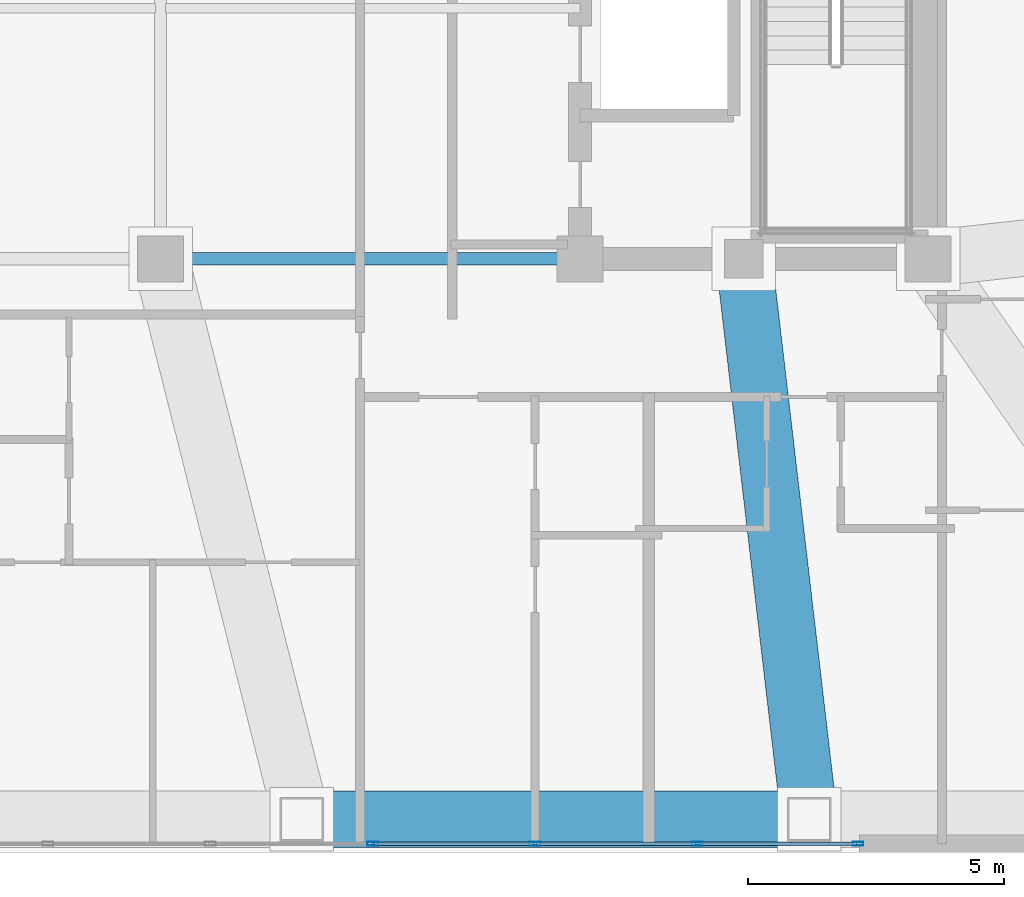
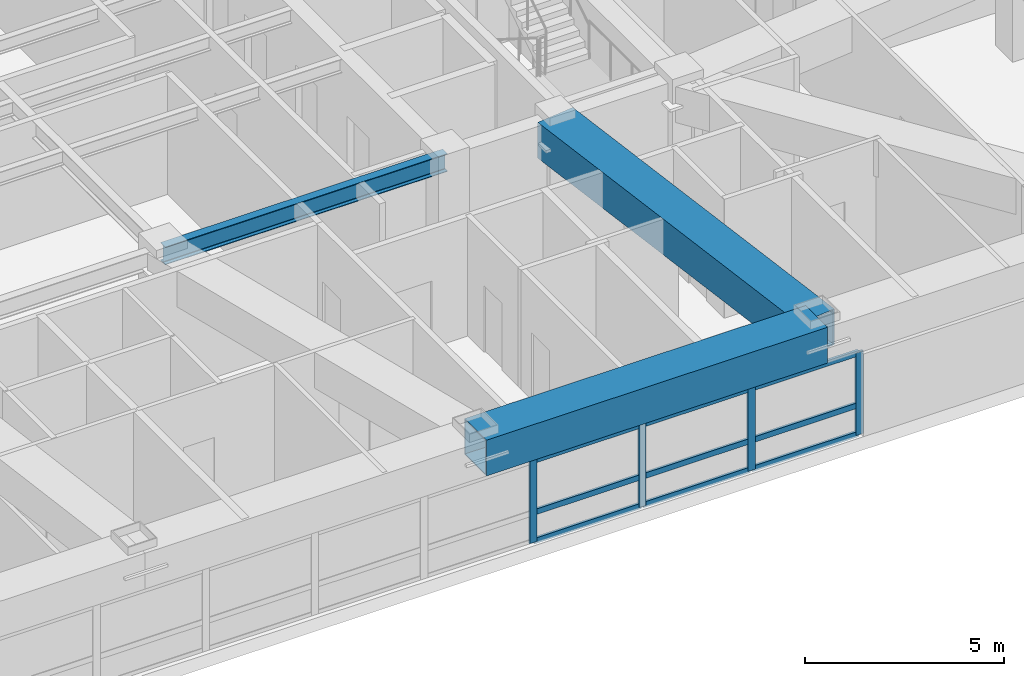
# One storey, part 6 of 16: 13 members, 3 beams, 1 element without a shape of its own.
"""IFC4 building model written with IfcOpenShell, lengths in metres."""

import ifcopenshell
import ifcopenshell.guid

model = None  # the IFC model being written
_history = None  # IfcOwnerHistory: only IFC2X3 demands one
_inside = {}  # id of a spatial element -> (the spatial element, [elements in it])
_under = {}  # id of a project, library or spatial element -> (it, [spatial elements below it])
_declared = {}  # id of a project -> (the project, [libraries it declares])
_typed = {}  # id of a type object -> (the type object, [elements of that type])
_made_of = {}  # id of a material, layer set ... -> (it, [elements and type objects made of it])


def new_model(schema):
    """Start an empty IFC model of exactly this schema.

    Asked for "IFC4X3", IfcOpenShell would pick the latest addendum, in which some entities
    have other attributes; the version numbers below select the first issue.
    IFC2X3 requires an IfcOwnerHistory on every rooted entity: one is made here for all.
    """
    global model, _history
    if schema == "IFC4X3":
        model = ifcopenshell.file(schema_version=(4, 3, 0, 0))
    else:
        model = ifcopenshell.file(schema=schema)
    _inside.clear()
    _under.clear()
    _declared.clear()
    _typed.clear()
    _made_of.clear()
    _history = None
    if model.schema == "IFC2X3":
        org = make("IfcOrganization", Name="unknown")
        user = make(
            "IfcPersonAndOrganization",
            ThePerson=make("IfcPerson", FamilyName="unknown"),
            TheOrganization=org,
        )
        app = make(
            "IfcApplication",
            ApplicationDeveloper=org,
            Version="unknown",
            ApplicationFullName="unknown",
            ApplicationIdentifier="unknown",
        )
        _history = make(
            "IfcOwnerHistory",
            OwningUser=user,
            OwningApplication=app,
            ChangeAction="ADDED",
            CreationDate=0,
        )
    return model


def make(cls, **values):
    """One entity of the class cls with the attributes given. An attribute that is None is left unset."""
    return model.create_entity(
        cls, **{name: value for name, value in values.items() if value is not None}
    )


def rooted(cls, **values):
    """An entity with a GlobalId (a new one), such as an element, a storey or a relation."""
    return make(cls, GlobalId=ifcopenshell.guid.new(), OwnerHistory=_history, **values)


def si_unit(unit_type, name, prefix=None):
    """IfcSIUnit, for example si_unit("LENGTHUNIT", "METRE", prefix="MILLI")."""
    return make("IfcSIUnit", UnitType=unit_type, Prefix=prefix, Name=name)


def assignment(units):
    """IfcUnitAssignment: the units of a project."""
    return None if units is None else make("IfcUnitAssignment", Units=units)


def point(xyz):
    """IfcCartesianPoint."""
    return None if xyz is None else make("IfcCartesianPoint", Coordinates=xyz)


def direction(xyz):
    """IfcDirection."""
    return None if xyz is None else make("IfcDirection", DirectionRatios=xyz)


def frame(location, z_axis=None, x_axis=None):
    """IfcAxis2Placement3D, a coordinate frame: its origin and axes. An axis left out is left unset."""
    return make(
        "IfcAxis2Placement3D",
        Location=point(location),
        Axis=direction(z_axis),
        RefDirection=direction(x_axis),
    )


def frame_2d(location, x_axis=None):
    """IfcAxis2Placement2D, a coordinate frame in the plane: its origin and x axis."""
    return make(
        "IfcAxis2Placement2D", Location=point(location), RefDirection=direction(x_axis)
    )


def origin():
    """The frame at (0, 0, 0) with its axes left unset."""
    return frame((0.0, 0.0, 0.0))


def origin_2d():
    """The frame at (0, 0) in the plane with its x axis left unset."""
    return frame_2d((0.0, 0.0))


def place(relative_to, where):
    """IfcLocalPlacement: puts the frame where relative to a parent placement (None: the world)."""
    return make(
        "IfcLocalPlacement", PlacementRelTo=relative_to, RelativePlacement=where
    )


def context(
    kind, dimensions, precision=None, world=None, true_north=None, identifier=None
):
    """IfcGeometricRepresentationContext, for example the 3D "Model" context."""
    return make(
        "IfcGeometricRepresentationContext",
        ContextIdentifier=identifier,
        ContextType=kind,
        CoordinateSpaceDimension=dimensions,
        Precision=precision,
        WorldCoordinateSystem=world,
        TrueNorth=true_north,
    )


def subcontext(parent, identifier, kind, view, scale=None):
    """IfcGeometricRepresentationSubContext, for example "Body" below "Model"."""
    return make(
        "IfcGeometricRepresentationSubContext",
        ContextIdentifier=identifier,
        ContextType=kind,
        ParentContext=parent,
        TargetScale=scale,
        TargetView=view,
    )


def project(units=None, contexts=None):
    """IfcProject with its units and contexts."""
    return rooted(
        "IfcProject",
        Name="project",
        RepresentationContexts=contexts,
        UnitsInContext=assignment(units),
    )


def spatial(cls, under=None, at=None, **own):
    """A site, building, storey or space (cls), placed at a placement, below another one or the project."""
    s = rooted(cls, ObjectPlacement=at, **own)
    if under is not None:
        _under.setdefault(under.id(), (under, []))[1].append(s)
    return s


def profile(cls, at=None, kind="AREA", **sizes):
    """A parametric profile (cls). Its sizes go by their IFC names, for example OverallWidth=200.0."""
    return make(cls, ProfileType=kind, Position=at, **sizes)


def hollow_rectangle(**sizes):
    """IfcRectangleHollowProfileDef."""
    return profile("IfcRectangleHollowProfileDef", **sizes)


def i_section(**sizes):
    """IfcIShapeProfileDef."""
    return profile("IfcIShapeProfileDef", **sizes)


def extrude(swept, where, along, depth):
    """IfcExtrudedAreaSolid: the profile swept, set in the frame where, extruded along a direction by depth."""
    return make(
        "IfcExtrudedAreaSolid",
        SweptArea=swept,
        Position=where,
        ExtrudedDirection=direction(along),
        Depth=depth,
    )


def shape(context_of_items, identifier, shape_type, items):
    """IfcShapeRepresentation: the items that make up one representation, for example the "Body"."""
    return make(
        "IfcShapeRepresentation",
        ContextOfItems=context_of_items,
        RepresentationIdentifier=identifier,
        RepresentationType=shape_type,
        Items=items,
    )


def material(Name=None, Category=None):
    """IfcMaterial."""
    return make("IfcMaterial", Name=Name, Category=Category)


def layer(
    of_material, thickness, ventilated=None, Name=None, Category=None, Priority=None
):
    """IfcMaterialLayer: one layer of a wall or slab, of a material (None: an air gap)."""
    return make(
        "IfcMaterialLayer",
        Material=of_material,
        LayerThickness=thickness,
        IsVentilated=ventilated,
        Name=Name,
        Category=Category,
        Priority=Priority,
    )


def layer_set(layers, Name=None):
    """IfcMaterialLayerSet."""
    return make("IfcMaterialLayerSet", MaterialLayers=layers, LayerSetName=Name)


def material_profile(
    of_material, cross_section, Name=None, Category=None, Priority=None
):
    """IfcMaterialProfile: a cross section and its material."""
    return make(
        "IfcMaterialProfile",
        Name=Name,
        Material=of_material,
        Profile=cross_section,
        Priority=Priority,
        Category=Category,
    )


def profile_set(profiles, Name=None, composite=None):
    """IfcMaterialProfileSet."""
    return make(
        "IfcMaterialProfileSet",
        Name=Name,
        MaterialProfiles=profiles,
        CompositeProfile=composite,
    )


def made_of(thing, what):
    """Note that an element or type object is made of a material, layer set ...; save() writes the relation."""
    if what is not None:
        _made_of.setdefault(what.id(), (what, []))[1].append(thing)
    return thing


def type_object(cls, material=None, **own):
    """A type object (cls), such as IfcWallType, which elements share."""
    return made_of(rooted(cls, **own), material)


def element(
    cls,
    number,
    at=None,
    inside=None,
    cuts=None,
    type_object=None,
    material=None,
    context=None,
    identifier="Body",
    shape_type=None,
    held_by="IfcProductDefinitionShape",
    body=None,
    shapes=None,
    **own,
):
    """One element of the class cls, such as IfcWall. Its Tag is "e" and its number.

    at: its placement. inside: the storey or other place that contains it. cuts: it is an
    opening in that element (IfcRelVoidsElement). A single representation is given by context,
    identifier, shape_type and body (its items); several are given by shapes. held_by: the class
    of the entity that holds the representations. save() writes the other relations.
    """
    e = rooted(cls, Tag="e%d" % number, ObjectPlacement=at, **own)
    if body is not None:
        shapes = [shape(context, identifier, shape_type, body)]
    if shapes is not None:
        e.Representation = make(held_by, Representations=shapes)
    if inside is not None:
        _inside.setdefault(inside.id(), (inside, []))[1].append(e)
    if cuts is not None:
        rooted(
            "IfcRelVoidsElement", RelatingBuildingElement=cuts, RelatedOpeningElement=e
        )
    if type_object is not None:
        _typed.setdefault(type_object.id(), (type_object, []))[1].append(e)
    return made_of(e, material)


def aggregate(whole, parts):
    """IfcRelAggregates: a whole, such as a stair, and the parts it consists of."""
    return rooted("IfcRelAggregates", RelatingObject=whole, RelatedObjects=parts)


def save(model, path):
    """Write the relations noted so far, then the file.

    IfcRelAggregates (storeys below a building ...), IfcRelContainedInSpatialStructure (elements
    in a storey), IfcRelDefinesByType, IfcRelAssociatesMaterial and IfcRelDeclares: one each for
    every whole, place, type object, material and project.
    """
    for whole, parts in _under.values():
        aggregate(whole, parts)
    for where, things in _inside.values():
        rooted(
            "IfcRelContainedInSpatialStructure",
            RelatedElements=things,
            RelatingStructure=where,
        )
    for kind, things in _typed.values():
        rooted("IfcRelDefinesByType", RelatedObjects=things, RelatingType=kind)
    for what, things in _made_of.values():
        rooted("IfcRelAssociatesMaterial", RelatedObjects=things, RelatingMaterial=what)
    for by, libraries in _declared.values():
        rooted("IfcRelDeclares", RelatingContext=by, RelatedDefinitions=libraries)
    model.write(path)


model = new_model("IFC4")

# Units and contexts
model_context = context("Model", 3, precision=1e-05, world=origin(), true_north=direction((0.0, 1.0)))
body_context = subcontext(model_context, "Body", "Model", "MODEL_VIEW")
ifc_project = project(units=[si_unit("LENGTHUNIT", "METRE"), si_unit("AREAUNIT", "SQUARE_METRE"), si_unit("VOLUMEUNIT", "CUBIC_METRE"), si_unit("PLANEANGLEUNIT", "RADIAN"), si_unit("MASSUNIT", "GRAM", prefix="KILO")], contexts=[model_context])

# Site, building, storey
site_placement = place(None, origin())
site = spatial("IfcSite", under=ifc_project, at=site_placement, CompositionType="ELEMENT")
building_placement = place(site_placement, origin())
building = spatial("IfcBuilding", under=site, at=building_placement, Name="Voryun Gate Residences", CompositionType="ELEMENT")
storey_placement = place(building_placement, frame((0.0, 0.0, 200.199951171875)))
storey = spatial("IfcBuildingStorey", under=building, at=storey_placement, Name="L49", CompositionType="ELEMENT", Elevation=200.199951171875)

# Beams
ifc_material_1 = material(Name="Steel SM420", Category="steel")
ifc_material_profile_1 = material_profile(ifc_material_1, hollow_rectangle(XDim=1.10009765625, YDim=1.10009765625, WallThickness=0.035888671875, at=origin_2d()), Name="BOX-1100x1100x36")
ifc_profile_set_1 = profile_set([ifc_material_profile_1], Name="Steel SM420")
beam_type_1 = type_object("IfcBeamType", Name="BM_ARCH_RIB", PredefinedType="USERDEFINED", material=ifc_profile_set_1)
beam_1_placement = place(storey_placement, frame((6.9599609375, -18.35009765625, 3.10009765625), z_axis=(1.0, 0.0, 0.0), x_axis=(0.0, 1.0, 0.0)))
element("IfcBeam", 1, at=beam_1_placement, inside=storey, type_object=beam_type_1, Name="BM-L49-SPAND-04", ObjectType="GIRDER", PredefinedType="USERDEFINED", context=body_context, shape_type="SweptSolid", body=[
    extrude(hollow_rectangle(XDim=1.10009765625, YDim=1.10009765625, WallThickness=0.035888671875, at=origin_2d()), origin(), (0.0, 0.0, 1.0), 9.919921875),
])
beam_2_placement = place(storey_placement, frame((15.60009765625, -7.39990234375, 3.10009765625), z_axis=(0.116083150214, -0.993239498931, 0.0), x_axis=(0.993239498931, 0.116083150214, 0.0)))
element("IfcBeam", 2, at=beam_2_placement, inside=storey, type_object=beam_type_1, Name="BM-L49-RAD-S5", ObjectType="GIRDER", PredefinedType="USERDEFINED", context=body_context, shape_type="SweptSolid", body=[
    extrude(hollow_rectangle(XDim=1.10009765625, YDim=1.10009765625, WallThickness=0.035888671875, at=origin_2d()), origin(), (0.0, 0.0, 1.0), 11.024658203125),
])
ifc_material_2 = material(Name="Steel SM355", Category="steel")
ifc_material_profile_2 = material_profile(ifc_material_2, i_section(OverallWidth=0.239990234375, OverallDepth=0.550048828125, WebThickness=0.011962890625, FlangeThickness=0.02001953125, FilletRadius=0.01806640625, at=origin_2d()), Name="H-550x240x12x20")
ifc_profile_set_2 = profile_set([ifc_material_profile_2], Name="Steel SM355")
beam_type_2 = type_object("IfcBeamType", Name="BM_GIRD_550", PredefinedType="USERDEFINED", material=ifc_profile_set_2)
beam_3_placement = place(storey_placement, frame((4.199951171875, -7.39990234375, 3.375), z_axis=(1.0, 0.0, 0.0), x_axis=(0.0, 1.0, 0.0)))
element("IfcBeam", 3, at=beam_3_placement, inside=storey, type_object=beam_type_2, Name="BM-L49-SPG3-S", ObjectType="GIRDER", PredefinedType="USERDEFINED", context=body_context, shape_type="SweptSolid", body=[
    extrude(i_section(OverallWidth=0.239990234375, OverallDepth=0.550048828125, WebThickness=0.011962890625, FlangeThickness=0.02001953125, FilletRadius=0.01806640625, at=origin_2d()), origin(), (0.0, 0.0, 1.0), 8.199951171875),
])

# Curtain wall, members
ifc_material_3 = material(Name="Anodised aluminium", Category="aluminium")
ifc_layer = layer(ifc_material_3, 0.2099609375, Name="CW_SYS_SKYGARDEN_DARK_GLASS")
ifc_layer_set = layer_set([ifc_layer], Name="Anodised aluminium")
curtain_wall_type = type_object("IfcCurtainWallType", Name="CW_SYS_SKYGARDEN_DARK_GLASS", PredefinedType="NOTDEFINED", material=ifc_layer_set)
curtain_wall_placement = place(storey_placement, origin())
curtain_wall = element("IfcCurtainWall", 4, at=curtain_wall_placement, inside=storey, type_object=curtain_wall_type, Name="Curtain wall CW5-L49-SG-01", PredefinedType="NOTDEFINED")
ifc_material_4 = material(Name="Anodised aluminium", Category="aluminium")
ifc_material_profile_3 = material_profile(ifc_material_4, hollow_rectangle(XDim=0.074951171875, YDim=0.2099609375, WallThickness=0.0048828125, at=origin_2d()), Name="ALU-MULL-210x75x5")
ifc_profile_set_3 = profile_set([ifc_material_profile_3], Name="Anodised aluminium")
member_type_1 = type_object("IfcMemberType", Name="CW_MULL_SKY", PredefinedType="MULLION", material=ifc_profile_set_3)
member_1_placement = place(storey_placement, frame((17.831298828125, -18.830078125, 0.0), z_axis=(0.0, 0.0, 1.0), x_axis=(0.0, -1.0, 0.0)))
member_1 = element("IfcMember", 5, at=member_1_placement, type_object=member_type_1, Name="CW5 mullion 1", PredefinedType="MULLION", context=body_context, shape_type="SweptSolid", body=[
    extrude(hollow_rectangle(XDim=0.074951171875, YDim=0.2099609375, WallThickness=0.0048828125, at=origin_2d()), origin(), (0.0, 0.0, 1.0), 2.5400390625),
])
member_2_placement = place(storey_placement, frame((14.68896484375, -18.830078125, 0.0), z_axis=(0.0, 0.0, 1.0), x_axis=(0.0, -1.0, 0.0)))
member_2 = element("IfcMember", 6, at=member_2_placement, type_object=member_type_1, Name="CW5 mullion 2", PredefinedType="MULLION", context=body_context, shape_type="SweptSolid", body=[
    extrude(hollow_rectangle(XDim=0.074951171875, YDim=0.2099609375, WallThickness=0.0048828125, at=origin_2d()), origin(), (0.0, 0.0, 1.0), 2.5400390625),
])
member_3_placement = place(storey_placement, frame((11.516845703125, -18.830078125, 0.0), z_axis=(0.0, 0.0, 1.0), x_axis=(0.0, -1.0, 0.0)))
member_3 = element("IfcMember", 7, at=member_3_placement, type_object=member_type_1, Name="CW5 mullion 3", PredefinedType="MULLION", context=body_context, shape_type="SweptSolid", body=[
    extrude(hollow_rectangle(XDim=0.074951171875, YDim=0.2099609375, WallThickness=0.0048828125, at=origin_2d()), origin(), (0.0, 0.0, 1.0), 2.5400390625),
])
member_4_placement = place(storey_placement, frame((8.344482421875, -18.830078125, 0.0), z_axis=(0.0, 0.0, 1.0), x_axis=(0.0, -1.0, 0.0)))
member_4 = element("IfcMember", 8, at=member_4_placement, type_object=member_type_1, Name="CW5 mullion 4", PredefinedType="MULLION", context=body_context, shape_type="SweptSolid", body=[
    extrude(hollow_rectangle(XDim=0.074951171875, YDim=0.2099609375, WallThickness=0.0048828125, at=origin_2d()), origin(), (0.0, 0.0, 1.0), 2.5400390625),
])
ifc_material_5 = material(Name="Anodised aluminium", Category="aluminium")
ifc_material_profile_4 = material_profile(ifc_material_5, hollow_rectangle(XDim=0.074951171875, YDim=0.169921875, WallThickness=0.0048828125, at=origin_2d()), Name="ALU-TRAN-170x75x5")
ifc_profile_set_4 = profile_set([ifc_material_profile_4], Name="Anodised aluminium")
member_type_2 = type_object("IfcMemberType", Name="CW_TRAN_SKY", PredefinedType="USERDEFINED", material=ifc_profile_set_4)
member_5_placement = place(storey_placement, frame((17.80126953125, -18.830078125, 0.030029296875), z_axis=(-1.0, 0.0, 0.0), x_axis=(0.0, -1.0, 0.0)))
member_5 = element("IfcMember", 9, at=member_5_placement, type_object=member_type_2, Name="CW5 transom 1.1", ObjectType="TRANSOM", PredefinedType="USERDEFINED", context=body_context, shape_type="SweptSolid", body=[
    extrude(hollow_rectangle(XDim=0.074951171875, YDim=0.169921875, WallThickness=0.0048828125, at=origin_2d()), origin(), (0.0, 0.0, 1.0), 3.082275390625),
])
member_6_placement = place(storey_placement, frame((17.80126953125, -18.830078125, 0.91455078125), z_axis=(-1.0, 0.0, 0.0), x_axis=(0.0, -1.0, 0.0)))
member_6 = element("IfcMember", 10, at=member_6_placement, type_object=member_type_2, Name="CW5 transom 1.2", ObjectType="TRANSOM", PredefinedType="USERDEFINED", context=body_context, shape_type="SweptSolid", body=[
    extrude(hollow_rectangle(XDim=0.074951171875, YDim=0.169921875, WallThickness=0.0048828125, at=origin_2d()), origin(), (0.0, 0.0, 1.0), 3.082275390625),
])
member_7_placement = place(storey_placement, frame((17.80126953125, -18.830078125, 2.510009765625), z_axis=(-1.0, 0.0, 0.0), x_axis=(0.0, -1.0, 0.0)))
member_7 = element("IfcMember", 11, at=member_7_placement, type_object=member_type_2, Name="CW5 transom 1.3", ObjectType="TRANSOM", PredefinedType="USERDEFINED", context=body_context, shape_type="SweptSolid", body=[
    extrude(hollow_rectangle(XDim=0.074951171875, YDim=0.169921875, WallThickness=0.0048828125, at=origin_2d()), origin(), (0.0, 0.0, 1.0), 3.082275390625),
])
member_8_placement = place(storey_placement, frame((14.658935546875, -18.830078125, 0.030029296875), z_axis=(-1.0, 0.0, 0.0), x_axis=(0.0, -1.0, 0.0)))
member_8 = element("IfcMember", 12, at=member_8_placement, type_object=member_type_2, Name="CW5 transom 2.1", ObjectType="TRANSOM", PredefinedType="USERDEFINED", context=body_context, shape_type="SweptSolid", body=[
    extrude(hollow_rectangle(XDim=0.074951171875, YDim=0.169921875, WallThickness=0.0048828125, at=origin_2d()), origin(), (0.0, 0.0, 1.0), 3.112060546875),
])
member_9_placement = place(storey_placement, frame((14.658935546875, -18.830078125, 0.91455078125), z_axis=(-1.0, 0.0, 0.0), x_axis=(0.0, -1.0, 0.0)))
member_9 = element("IfcMember", 13, at=member_9_placement, type_object=member_type_2, Name="CW5 transom 2.2", ObjectType="TRANSOM", PredefinedType="USERDEFINED", context=body_context, shape_type="SweptSolid", body=[
    extrude(hollow_rectangle(XDim=0.074951171875, YDim=0.169921875, WallThickness=0.0048828125, at=origin_2d()), origin(), (0.0, 0.0, 1.0), 3.112060546875),
])
member_10_placement = place(storey_placement, frame((14.658935546875, -18.830078125, 2.510009765625), z_axis=(-1.0, 0.0, 0.0), x_axis=(0.0, -1.0, 0.0)))
member_10 = element("IfcMember", 14, at=member_10_placement, type_object=member_type_2, Name="CW5 transom 2.3", ObjectType="TRANSOM", PredefinedType="USERDEFINED", context=body_context, shape_type="SweptSolid", body=[
    extrude(hollow_rectangle(XDim=0.074951171875, YDim=0.169921875, WallThickness=0.0048828125, at=origin_2d()), origin(), (0.0, 0.0, 1.0), 3.112060546875),
])
member_11_placement = place(storey_placement, frame((11.48681640625, -18.830078125, 0.030029296875), z_axis=(-1.0, 0.0, 0.0), x_axis=(0.0, -1.0, 0.0)))
member_11 = element("IfcMember", 15, at=member_11_placement, type_object=member_type_2, Name="CW5 transom 3.1", ObjectType="TRANSOM", PredefinedType="USERDEFINED", context=body_context, shape_type="SweptSolid", body=[
    extrude(hollow_rectangle(XDim=0.074951171875, YDim=0.169921875, WallThickness=0.0048828125, at=origin_2d()), origin(), (0.0, 0.0, 1.0), 3.1123046875),
])
member_12_placement = place(storey_placement, frame((11.48681640625, -18.830078125, 0.91455078125), z_axis=(-1.0, 0.0, 0.0), x_axis=(0.0, -1.0, 0.0)))
member_12 = element("IfcMember", 16, at=member_12_placement, type_object=member_type_2, Name="CW5 transom 3.2", ObjectType="TRANSOM", PredefinedType="USERDEFINED", context=body_context, shape_type="SweptSolid", body=[
    extrude(hollow_rectangle(XDim=0.074951171875, YDim=0.169921875, WallThickness=0.0048828125, at=origin_2d()), origin(), (0.0, 0.0, 1.0), 3.1123046875),
])
member_13_placement = place(storey_placement, frame((11.48681640625, -18.830078125, 2.510009765625), z_axis=(-1.0, 0.0, 0.0), x_axis=(0.0, -1.0, 0.0)))
member_13 = element("IfcMember", 17, at=member_13_placement, type_object=member_type_2, Name="CW5 transom 3.3", ObjectType="TRANSOM", PredefinedType="USERDEFINED", context=body_context, shape_type="SweptSolid", body=[
    extrude(hollow_rectangle(XDim=0.074951171875, YDim=0.169921875, WallThickness=0.0048828125, at=origin_2d()), origin(), (0.0, 0.0, 1.0), 3.1123046875),
])
aggregate(curtain_wall, [member_1, member_2, member_3, member_4, member_5, member_6, member_7, member_8, member_9, member_10, member_11, member_12, member_13])

save(model, "model.ifc")
